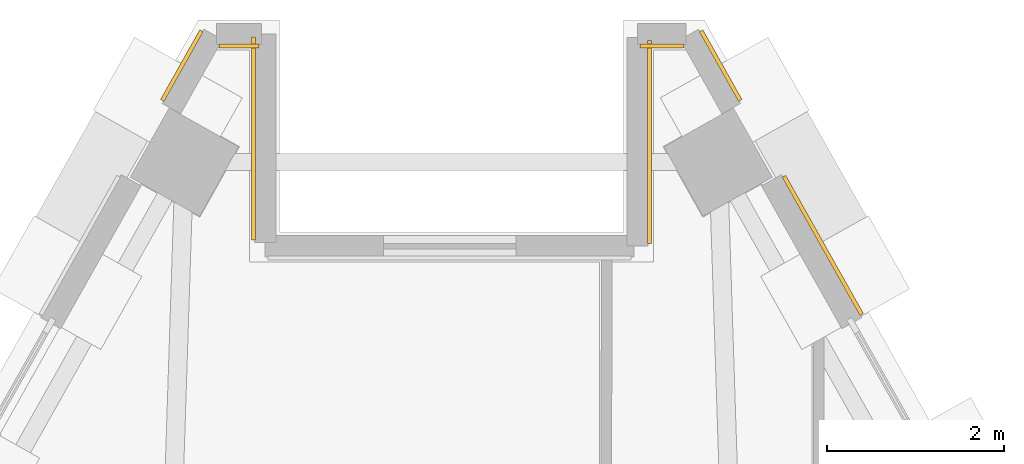
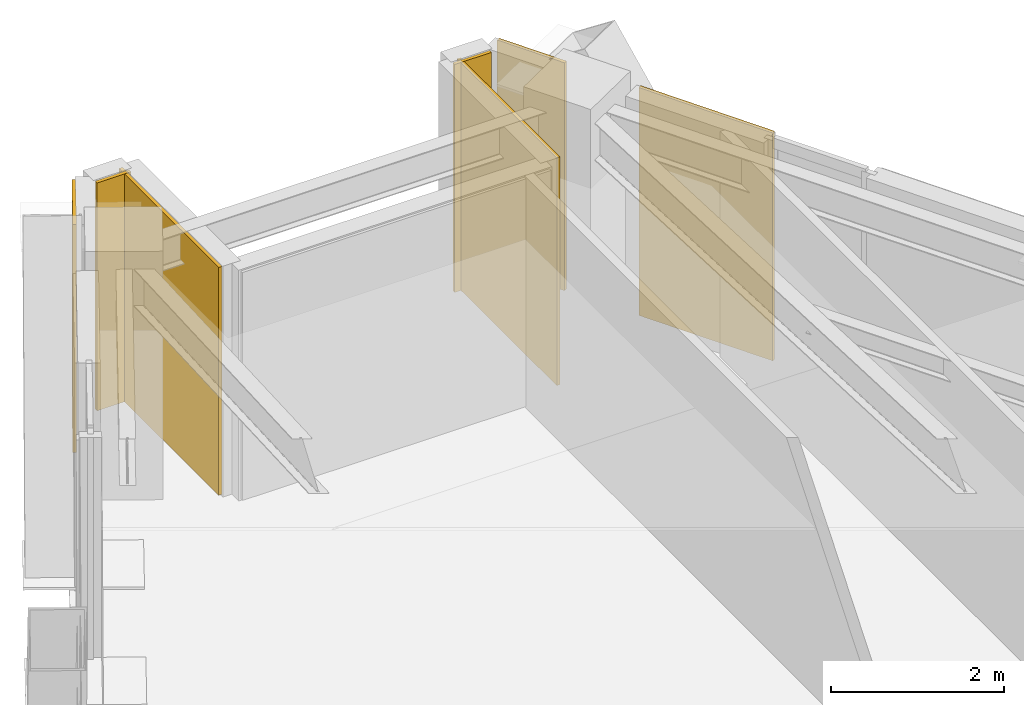
# One storey, part 13 of 13: 7 coverings.
"""IFC4 building model written with IfcOpenShell, lengths in metres."""

from ifc_helpers import new_model, si_unit, direction, frame, origin, place, context, subcontext, project, spatial, polyline, outline, extrude, material, layer, layer_set, type_object, element, save


model = new_model("IFC4")

# Units and contexts
model_context = context("Model", 3, precision=1e-05, world=origin(), true_north=direction((0.0, 1.0)))
body_context = subcontext(model_context, "Body", "Model", "MODEL_VIEW")
ifc_project = project(units=[si_unit("LENGTHUNIT", "METRE"), si_unit("AREAUNIT", "SQUARE_METRE"), si_unit("VOLUMEUNIT", "CUBIC_METRE"), si_unit("PLANEANGLEUNIT", "RADIAN"), si_unit("MASSUNIT", "GRAM", prefix="KILO")], contexts=[model_context])

# Site, building, storey
site_placement = place(None, origin())
site = spatial("IfcSite", under=ifc_project, at=site_placement, CompositionType="ELEMENT")
building_placement = place(site_placement, origin())
building = spatial("IfcBuilding", under=site, at=building_placement, Name="Quenlor Broadcast Tower", CompositionType="ELEMENT")
storey_placement = place(building_placement, frame((0.0, 0.0, 207.89990234375)))
storey = spatial("IfcBuildingStorey", under=building, at=storey_placement, Name="L57", CompositionType="ELEMENT", Elevation=207.89990234375)

# Coverings
ifc_material = material(Name="Architectural Terracotta Ceramic", Category="masonry")
ifc_layer = layer(ifc_material, 0.044921875)
ifc_layer_set = layer_set([ifc_layer], Name="Fluted Terracotta Rainscreen Cladding Panel")
covering_type = type_object("IfcCoveringType", Name="Fluted Terracotta Rainscreen Cladding Panel", PredefinedType="CLADDING", material=ifc_layer_set)
covering_1_placement = place(storey_placement, frame((0.0, 0.0, 0.02001953125)))
element("IfcCovering", 1, at=covering_1_placement, inside=storey, type_object=covering_type, Name="L57 Terracotta Rainscreen Cladding L57-SHD-NES0", PredefinedType="CLADDING", context=body_context, shape_type="SweptSolid", body=[
    extrude(outline(polyline([(2.8076171875, 19.17822265625), (3.250732421875, 18.390380859375), (3.2900390625, 18.412353515625), (2.8466796875, 19.2001953125), (2.8076171875, 19.17822265625)])), origin(), (0.0, 0.0, 1.0), 3.2099609375),
])
covering_2_placement = place(storey_placement, frame((0.0, 0.0, 0.02001953125)))
element("IfcCovering", 2, at=covering_2_placement, inside=storey, type_object=covering_type, Name="L57 Terracotta Rainscreen Cladding L57-NEA-SP1", PredefinedType="CLADDING", context=body_context, shape_type="SweptSolid", body=[
    extrude(outline(polyline([(3.744873046875, 17.532470703125), (4.625, 15.967529296875), (4.664306640625, 15.989501953125), (3.7841796875, 17.554443359375), (3.744873046875, 17.532470703125)])), origin(), (0.0, 0.0, 1.0), 3.2099609375),
])
covering_3_placement = place(storey_placement, frame((0.0, 0.0, 0.02001953125)))
element("IfcCovering", 3, at=covering_3_placement, inside=storey, type_object=covering_type, Name="L57 Terracotta Rainscreen Cladding L57-SHD-NWS1", PredefinedType="CLADDING", context=body_context, shape_type="SweptSolid", body=[
    extrude(outline(polyline([(-3.250732421875, 18.390380859375), (-2.8076171875, 19.17822265625), (-2.8466796875, 19.2001953125), (-3.2900390625, 18.412353515625), (-3.250732421875, 18.390380859375)])), origin(), (0.0, 0.0, 1.0), 3.2099609375),
])
covering_4_placement = place(storey_placement, frame((0.0, 0.0, 0.02001953125)))
element("IfcCovering", 4, at=covering_4_placement, inside=storey, type_object=covering_type, Name="L57 Terracotta Rainscreen Cladding L57-CNR-06", PredefinedType="CLADDING", context=body_context, shape_type="SweptSolid", body=[
    extrude(outline(polyline([(2.62841796875, 19.0400390625), (2.13623046875, 19.0400390625), (2.13623046875, 18.9951171875), (2.62841796875, 18.9951171875), (2.62841796875, 19.0400390625)])), origin(), (0.0, 0.0, 1.0), 3.2099609375),
])
covering_5_placement = place(storey_placement, frame((0.0, 0.0, 0.02001953125)))
element("IfcCovering", 5, at=covering_5_placement, inside=storey, type_object=covering_type, Name="L57 Terracotta Rainscreen Cladding L57-CNR-07", PredefinedType="CLADDING", context=body_context, shape_type="SweptSolid", body=[
    extrude(outline(polyline([(2.21826171875, 19.08203125), (2.21826171875, 16.781982421875), (2.26318359375, 16.781982421875), (2.26318359375, 19.08203125), (2.21826171875, 19.08203125)])), origin(), (0.0, 0.0, 1.0), 3.2099609375),
])
covering_6_placement = place(storey_placement, frame((0.0, 0.0, 0.02001953125)))
element("IfcCovering", 6, at=covering_6_placement, inside=storey, type_object=covering_type, Name="L57 Terracotta Rainscreen Cladding L57-CNR-09", PredefinedType="CLADDING", context=body_context, shape_type="SweptSolid", body=[
    extrude(outline(polyline([(-2.21826171875, 16.822021484375), (-2.21826171875, 19.1220703125), (-2.26318359375, 19.1220703125), (-2.26318359375, 16.822021484375), (-2.21826171875, 16.822021484375)])), origin(), (0.0, 0.0, 1.0), 3.2099609375),
])
covering_7_placement = place(storey_placement, frame((0.0, 0.0, 0.02001953125)))
element("IfcCovering", 7, at=covering_7_placement, inside=storey, type_object=covering_type, Name="L57 Terracotta Rainscreen Cladding L57-CNR-10", PredefinedType="CLADDING", context=body_context, shape_type="SweptSolid", body=[
    extrude(outline(polyline([(-2.17626953125, 19.0400390625), (-2.62841796875, 19.0400390625), (-2.62841796875, 18.9951171875), (-2.17626953125, 18.9951171875), (-2.17626953125, 19.0400390625)])), origin(), (0.0, 0.0, 1.0), 3.2099609375),
])

save(model, "model.ifc")
